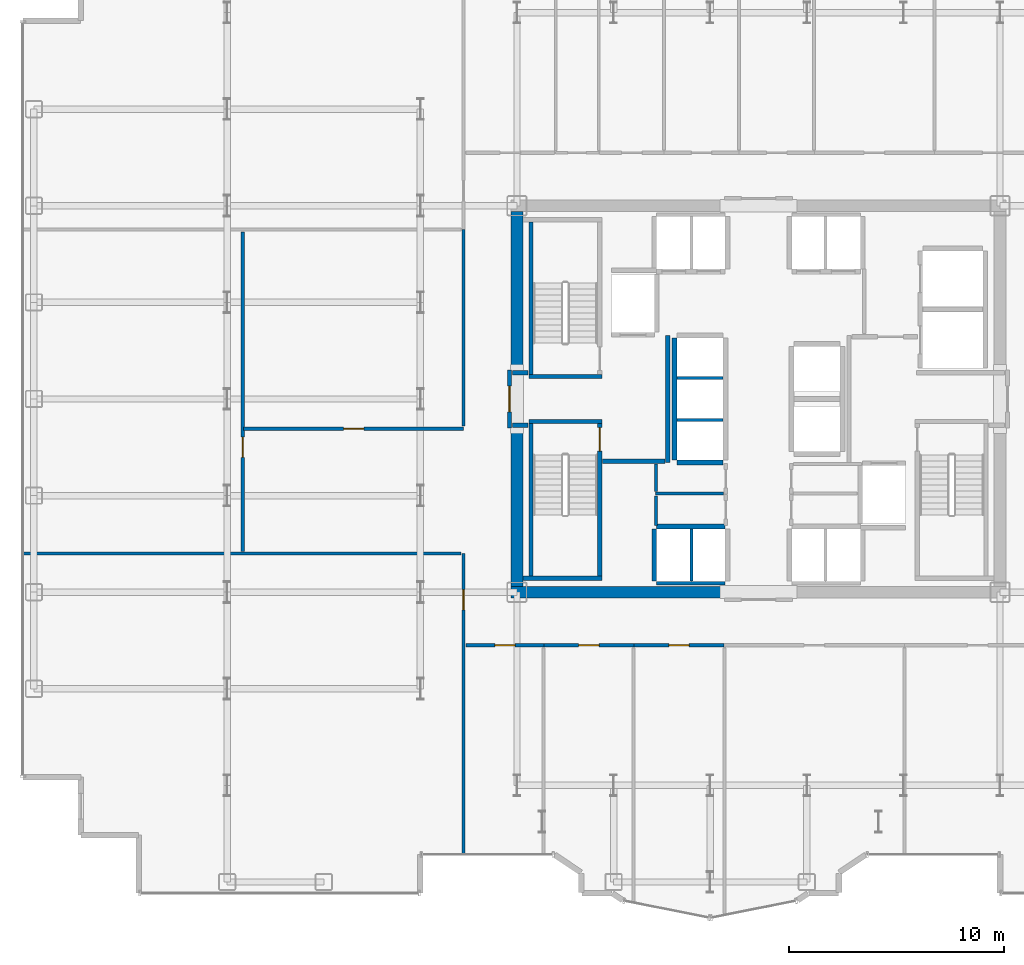
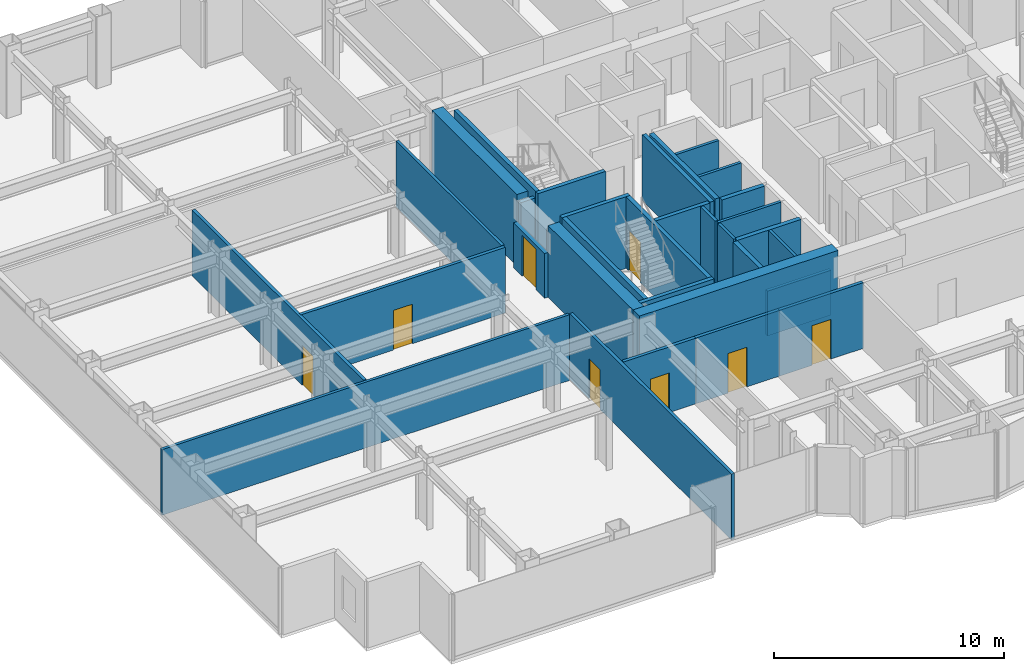
# One storey, part 20 of 26: 33 walls, 8 doors, 8 openings.
"""IFC4 building model written with IfcOpenShell, lengths in metres."""

from ifc_helpers import new_model, si_unit, direction, frame, frame_2d, origin, place, context, subcontext, project, spatial, rectangle, extrude, source, transform, mapped, material, layer, layer_set, type_object, element, fill, save


model = new_model("IFC4")

# Units and contexts
model_context = context("Model", 3, precision=1e-05, world=origin(), true_north=direction((0.0, 1.0)))
body_context = subcontext(model_context, "Body", "Model", "MODEL_VIEW")
ifc_project = project(units=[si_unit("LENGTHUNIT", "METRE"), si_unit("AREAUNIT", "SQUARE_METRE"), si_unit("VOLUMEUNIT", "CUBIC_METRE"), si_unit("PLANEANGLEUNIT", "RADIAN"), si_unit("MASSUNIT", "GRAM", prefix="KILO")], contexts=[model_context])

# Site, building, storey
site_placement = place(None, origin())
site = spatial("IfcSite", under=ifc_project, at=site_placement, CompositionType="ELEMENT")
building_placement = place(site_placement, origin())
building = spatial("IfcBuilding", under=site, at=building_placement, Name="Nefas-Gora Pilgrimage Tower", CompositionType="ELEMENT")
storey_placement = place(building_placement, frame((0.0, 0.0, 140.199951171875)))
storey = spatial("IfcBuildingStorey", under=building, at=storey_placement, Name="L34", CompositionType="ELEMENT", Elevation=140.199951171875)

# Walls
ifc_material_1 = material(Name="Concrete C60/75", Category="concrete")
ifc_layer_1 = layer(ifc_material_1, 0.550048828125)
ifc_layer_set_1 = layer_set([ifc_layer_1], Name="Concrete C60/75")
wall_type_1 = type_object("IfcWallType", Name="SW-CORE-550", PredefinedType="SHEAR", material=ifc_layer_set_1)
shared_shape_1 = source(origin(), body_context, "Body", "SweptSolid", [
    extrude(rectangle(XDim=9.974853515625, YDim=0.550048828125, at=frame_2d((4.9873046875, 0.0))), origin(), (0.0, 0.0, 1.0), 3.800048828125),
])
wall_1_placement = place(storey_placement, frame((-11.52490234375, -9.0, 0.0), z_axis=(0.0, 0.0, 1.0), x_axis=(1.0, 0.0, 0.0)))
element("IfcWall", 1, at=wall_1_placement, inside=storey, type_object=wall_type_1, Name="L34 Core Shear Wall S-West", PredefinedType="SHEAR", context=body_context, shape_type="MappedRepresentation", body=[
    mapped(shared_shape_1, transform((0.0, 0.0, 0.0), x_axis=(1.0, 0.0, 0.0), y_axis=(0.0, 1.0, 0.0), z_axis=(0.0, 0.0, 1.0), scale=1.0)),
])
shared_shape_2 = source(origin(), body_context, "Body", "SweptSolid", [
    extrude(rectangle(XDim=7.375, YDim=0.550048828125, at=frame_2d((3.6875, 0.0))), origin(), (0.0, 0.0, 1.0), 3.800048828125),
])
for number, where, z_axis, x_axis, name in (
    (2, (-11.25, -8.72509765625, 0.0), (0.0, 0.0, 1.0), (0.0, 1.0, 0.0), "L34 Core Shear Wall W-South"),
    (3, (-11.25, 1.35009765625, 0.0), (0.0, 0.0, 1.0), (0.0, 1.0, 0.0), "L34 Core Shear Wall W-North"),
):
    element("IfcWall", number, at=place(storey_placement, frame(where, z_axis=z_axis, x_axis=x_axis)), inside=storey, type_object=wall_type_1, Name=name, PredefinedType="SHEAR", context=body_context, shape_type="MappedRepresentation", body=[
        mapped(shared_shape_2, transform((0.0, 0.0, 0.0), x_axis=(1.0, 0.0, 0.0), y_axis=(0.0, 1.0, 0.0), z_axis=(0.0, 0.0, 1.0), scale=1.0)),
    ])
ifc_material_2 = material(Name="Concrete C45/55", Category="concrete")
ifc_layer_2 = layer(ifc_material_2, 0.199951171875)
ifc_layer_set_2 = layer_set([ifc_layer_2], Name="Concrete C45/55")
wall_type_2 = type_object("IfcWallType", Name="IW-STAIR-200", PredefinedType="SOLIDWALL", material=ifc_layer_set_2)
shared_shape_3 = source(origin(), body_context, "Body", "SweptSolid", [
    extrude(rectangle(XDim=3.39990234375, YDim=0.199951171875, at=frame_2d((1.699951171875, 0.0))), origin(), (0.0, 0.0, 1.0), 3.800048828125),
])
for number, where, z_axis, x_axis, name in (
    (4, (-7.300048828125, 1.050048828125, 0.0), (0.0, 0.0, 1.0), (-1.0, 0.0, 0.0), "L34 Stairwell Shear Wall ST-01-near"),
    (5, (-10.699951171875, -1.050048828125, 0.0), (0.0, 0.0, 1.0), (1.0, 0.0, 0.0), "L34 Stairwell Shear Wall ST-03-near"),
):
    element("IfcWall", number, at=place(storey_placement, frame(where, z_axis=z_axis, x_axis=x_axis)), inside=storey, type_object=wall_type_2, Name=name, PredefinedType="SOLIDWALL", context=body_context, shape_type="MappedRepresentation", body=[
        mapped(shared_shape_3, transform((0.0, 0.0, 0.0), x_axis=(1.0, 0.0, 0.0), y_axis=(0.0, 1.0, 0.0), z_axis=(0.0, 0.0, 1.0), scale=1.0)),
    ])
shared_shape_4 = source(origin(), body_context, "Body", "SweptSolid", [
    extrude(rectangle(XDim=7.10009765625, YDim=0.199951171875, at=frame_2d((3.550048828125, 0.0))), origin(), (0.0, 0.0, 1.0), 3.800048828125),
])
for number, where, z_axis, x_axis, name in (
    (6, (-10.60009765625, 1.14990234375, 0.0), (0.0, 0.0, 1.0), (0.0, 1.0, 0.0), "L34 Stairwell Shear Wall ST-01-right"),
    (7, (-10.60009765625, -1.14990234375, 0.0), (0.0, 0.0, 1.0), (0.0, -1.0, 0.0), "L34 Stairwell Shear Wall ST-03-left"),
):
    element("IfcWall", number, at=place(storey_placement, frame(where, z_axis=z_axis, x_axis=x_axis)), inside=storey, type_object=wall_type_2, Name=name, PredefinedType="SOLIDWALL", context=body_context, shape_type="MappedRepresentation", body=[
        mapped(shared_shape_4, transform((0.0, 0.0, 0.0), x_axis=(1.0, 0.0, 0.0), y_axis=(0.0, 1.0, 0.0), z_axis=(0.0, 0.0, 1.0), scale=1.0)),
    ])

# Wall, opening, door
wall_2_placement = place(storey_placement, frame((-7.39990234375, -1.14990234375, 0.0), z_axis=(0.0, 0.0, 1.0), x_axis=(0.0, -1.0, 0.0)))
wall_2 = element("IfcWall", 8, at=wall_2_placement, inside=storey, type_object=wall_type_2, Name="L34 Stairwell Shear Wall ST-03-right", PredefinedType="SOLIDWALL", context=body_context, shape_type="MappedRepresentation", body=[
    mapped(shared_shape_4, transform((0.0, 0.0, 0.0), x_axis=(1.0, 0.0, 0.0), y_axis=(0.0, 1.0, 0.0), z_axis=(0.0, 0.0, 1.0), scale=1.0)),
])
opening_1_placement = place(wall_2_placement, frame((0.179931640625, 0.0, 0.0)))
opening_1 = element("IfcOpeningElement", 9, at=opening_1_placement, cuts=wall_2, Name="Opening ID-ST1", PredefinedType="OPENING", context=body_context, shape_type="SweptSolid", body=[
    extrude(rectangle(XDim=1.10009765625, YDim=2.14990234375, at=frame_2d((0.550048828125, 1.074951171875))), frame((0.0, 0.10986328125, 0.0), z_axis=(0.0, -1.0, 0.0), x_axis=(1.0, 0.0, 0.0)), (0.0, 0.0, 1.0), 0.219970703125),
])
ifc_material_3 = material(Name="Painted galvanised steel fire stair door", Category="steel")
door_type_1 = type_object("IfcDoorType", Name="DR-INT-STAIR-1100", OperationType="NOTDEFINED", PredefinedType="DOOR", material=ifc_material_3)
shared_shape_5 = source(origin(), body_context, "Body", "SweptSolid", [
    extrude(rectangle(XDim=1.10009765625, YDim=2.14990234375, at=frame_2d((0.550048828125, 1.074951171875))), frame((0.0, 0.02490234375, 0.0), z_axis=(0.0, -1.0, 0.0), x_axis=(1.0, 0.0, 0.0)), (0.0, 0.0, 1.0), 0.050048828125),
])
door_1_placement = place(opening_1_placement, origin())
door_1 = element("IfcDoor", 10, at=door_1_placement, inside=storey, type_object=door_type_1, Name="L34 Protected Exit Stair Door ST-03", OperationType="SINGLE_SWING_RIGHT", OverallHeight=2.14990234375, OverallWidth=1.10009765625, PredefinedType="DOOR", context=body_context, shape_type="MappedRepresentation", body=[
    mapped(shared_shape_5, transform((0.0, 0.0, 0.0), x_axis=(1.0, 0.0, 0.0), y_axis=(0.0, 1.0, 0.0), z_axis=(0.0, 0.0, 1.0), scale=1.0)),
])
fill(opening_1, door_1)

# Walls
shared_shape_6 = source(origin(), body_context, "Body", "SweptSolid", [
    extrude(rectangle(XDim=3.679931640625, YDim=0.199951171875, at=frame_2d((1.83984375, 0.0))), origin(), (0.0, 0.0, 1.0), 3.800048828125),
])
wall_3_placement = place(storey_placement, frame((-10.97998046875, -8.35009765625, 0.0), z_axis=(0.0, 0.0, 1.0), x_axis=(1.0, 0.0, 0.0)))
element("IfcWall", 11, at=wall_3_placement, inside=storey, type_object=wall_type_2, Name="L34 Stairwell Shear Wall ST-03-far", PredefinedType="SOLIDWALL", context=body_context, shape_type="MappedRepresentation", body=[
    mapped(shared_shape_6, transform((0.0, 0.0, 0.0), x_axis=(1.0, 0.0, 0.0), y_axis=(0.0, 1.0, 0.0), z_axis=(0.0, 0.0, 1.0), scale=1.0)),
])
ifc_material_4 = material(Name="Concrete C40/50", Category="concrete")
ifc_layer_3 = layer(ifc_material_4, 0.219970703125)
ifc_layer_set_3 = layer_set([ifc_layer_3], Name="Concrete C40/50")
wall_type_3 = type_object("IfcWallType", Name="IW-SHAFT-220", PredefinedType="SOLIDWALL", material=ifc_layer_set_3)
shared_shape_7 = source(origin(), body_context, "Body", "SweptSolid", [
    extrude(rectangle(XDim=3.199951171875, YDim=0.219970703125, at=frame_2d((1.60009765625, 0.0))), origin(), (0.0, 0.0, 1.0), 3.485107421875),
])
wall_4_placement = place(storey_placement, frame((-1.550048828125, -5.93994140625, 0.0), z_axis=(0.0, 0.0, 1.0), x_axis=(-1.0, 0.0, 0.0)))
element("IfcWall", 12, at=wall_4_placement, inside=storey, type_object=wall_type_3, Name="L34 Hoistway Wall PL2-W-N", PredefinedType="SOLIDWALL", context=body_context, shape_type="MappedRepresentation", body=[
    mapped(shared_shape_7, transform((0.0, 0.0, 0.0), x_axis=(1.0, 0.0, 0.0), y_axis=(0.0, 1.0, 0.0), z_axis=(0.0, 0.0, 1.0), scale=1.0)),
])
ifc_material_5 = material(Name="Gypsum acoustic stud partition")
ifc_layer_4 = layer(ifc_material_5, 0.159912109375)
ifc_layer_set_4 = layer_set([ifc_layer_4], Name="Gypsum acoustic stud partition")
wall_type_4 = type_object("IfcWallType", Name="IW-CORR-160", PredefinedType="PARTITIONING", material=ifc_layer_set_4)
shared_shape_8 = source(origin(), body_context, "Body", "SweptSolid", [
    extrude(rectangle(XDim=3.199951171875, YDim=0.159912109375, at=frame_2d((1.60009765625, 0.0))), origin(), (0.0, 0.0, 1.0), 2.375),
])
wall_5_placement = place(storey_placement, frame((-4.75, -8.580078125, 0.0), z_axis=(0.0, 0.0, 1.0), x_axis=(1.0, 0.0, 0.0)))
element("IfcWall", 13, at=wall_5_placement, inside=storey, type_object=wall_type_4, Name="L34 Hoistway Wall PL2-W-S", PredefinedType="PARTITIONING", context=body_context, shape_type="MappedRepresentation", body=[
    mapped(shared_shape_8, transform((0.0, 0.0, 0.0), x_axis=(1.0, 0.0, 0.0), y_axis=(0.0, 1.0, 0.0), z_axis=(0.0, 0.0, 1.0), scale=1.0)),
])
shared_shape_9 = source(origin(), body_context, "Body", "SweptSolid", [
    extrude(rectangle(XDim=2.429931640625, YDim=0.219970703125, at=frame_2d((1.21484375, 0.0))), origin(), (0.0, 0.0, 1.0), 3.485107421875),
])
wall_6_placement = place(storey_placement, frame((-4.860107421875, -6.06005859375, 0.0), z_axis=(0.0, 0.0, 1.0), x_axis=(0.0, -1.0, 0.0)))
element("IfcWall", 14, at=wall_6_placement, inside=storey, type_object=wall_type_3, Name="L34 Hoistway Wall PL2-W-W", PredefinedType="SOLIDWALL", context=body_context, shape_type="MappedRepresentation", body=[
    mapped(shared_shape_9, transform((0.0, 0.0, 0.0), x_axis=(1.0, 0.0, 0.0), y_axis=(0.0, 1.0, 0.0), z_axis=(0.0, 0.0, 1.0), scale=1.0)),
])
ifc_material_6 = material(Name="Gypsum twin-stud partition")
ifc_layer_5 = layer(ifc_material_6, 0.139892578125)
ifc_layer_set_5 = layer_set([ifc_layer_5], Name="Gypsum twin-stud partition")
wall_type_5 = type_object("IfcWallType", Name="IW-UNIT-140", PredefinedType="PARTITIONING", material=ifc_layer_set_5)
shared_shape_10 = source(origin(), body_context, "Body", "SweptSolid", [
    extrude(rectangle(XDim=2.429931640625, YDim=0.139892578125, at=frame_2d((1.21484375, 0.0))), origin(), (0.0, 0.0, 1.0), 3.485107421875),
])
wall_7_placement = place(storey_placement, frame((-3.125, -8.489990234375, 0.0), z_axis=(0.0, 0.0, 1.0), x_axis=(0.0, 1.0, 0.0)))
element("IfcWall", 15, at=wall_7_placement, inside=storey, type_object=wall_type_5, Name="L34 Hoistway Wall PL2-W-DIV", PredefinedType="PARTITIONING", context=body_context, shape_type="MappedRepresentation", body=[
    mapped(shared_shape_10, transform((0.0, 0.0, 0.0), x_axis=(1.0, 0.0, 0.0), y_axis=(0.0, 1.0, 0.0), z_axis=(0.0, 0.0, 1.0), scale=1.0)),
])
shared_shape_11 = source(origin(), body_context, "Body", "SweptSolid", [
    extrude(rectangle(XDim=5.7001953125, YDim=0.219970703125, at=frame_2d((2.85009765625, 0.0))), origin(), (0.0, 0.0, 1.0), 3.485107421875),
])
wall_8_placement = place(storey_placement, frame((-3.909912109375, 2.85009765625, 0.0), z_axis=(0.0, 0.0, 1.0), x_axis=(0.0, -1.0, 0.0)))
element("IfcWall", 16, at=wall_8_placement, inside=storey, type_object=wall_type_3, Name="L34 Hoistway Wall PL3-01-03-W", PredefinedType="SOLIDWALL", context=body_context, shape_type="MappedRepresentation", body=[
    mapped(shared_shape_11, transform((0.0, 0.0, 0.0), x_axis=(1.0, 0.0, 0.0), y_axis=(0.0, 1.0, 0.0), z_axis=(0.0, 0.0, 1.0), scale=1.0)),
])
shared_shape_12 = source(origin(), body_context, "Body", "SweptSolid", [
    extrude(rectangle(XDim=2.130126953125, YDim=0.219970703125, at=frame_2d((1.06494140625, 0.0))), origin(), (0.0, 0.0, 1.0), 3.485107421875),
])
wall_9_placement = place(storey_placement, frame((-3.7900390625, -2.9599609375, 0.0), z_axis=(0.0, 0.0, 1.0), x_axis=(1.0, 0.0, 0.0)))
element("IfcWall", 17, at=wall_9_placement, inside=storey, type_object=wall_type_3, Name="L34 Hoistway Wall PL3-01-S", PredefinedType="SOLIDWALL", context=body_context, shape_type="MappedRepresentation", body=[
    mapped(shared_shape_12, transform((0.0, 0.0, 0.0), x_axis=(1.0, 0.0, 0.0), y_axis=(0.0, 1.0, 0.0), z_axis=(0.0, 0.0, 1.0), scale=1.0)),
])
shared_shape_13 = source(origin(), body_context, "Body", "SweptSolid", [
    extrude(rectangle(XDim=2.130126953125, YDim=0.139892578125, at=frame_2d((1.06494140625, 0.0))), origin(), (0.0, 0.0, 1.0), 3.485107421875),
])
for number, where, z_axis, x_axis, name in (
    (18, (-3.7900390625, -0.97509765625, 0.0), (0.0, 0.0, 1.0), (1.0, 0.0, 0.0), "L34 Hoistway Wall PL3-01-02-DIV"),
    (19, (-3.7900390625, 0.97509765625, 0.0), (0.0, 0.0, 1.0), (1.0, 0.0, 0.0), "L34 Hoistway Wall PL3-02-03-DIV"),
):
    element("IfcWall", number, at=place(storey_placement, frame(where, z_axis=z_axis, x_axis=x_axis)), inside=storey, type_object=wall_type_5, Name=name, PredefinedType="PARTITIONING", context=body_context, shape_type="MappedRepresentation", body=[
        mapped(shared_shape_13, transform((0.0, 0.0, 0.0), x_axis=(1.0, 0.0, 0.0), y_axis=(0.0, 1.0, 0.0), z_axis=(0.0, 0.0, 1.0), scale=1.0)),
    ])

# Wall, opening, door
ifc_material_7 = material(Name="Gypsum fire-rated shaftwall")
ifc_layer_6 = layer(ifc_material_7, 0.199951171875)
ifc_layer_set_6 = layer_set([ifc_layer_6], Name="Gypsum fire-rated shaftwall")
wall_type_6 = type_object("IfcWallType", Name="IW-FFLOB-200", PredefinedType="PARTITIONING", material=ifc_layer_set_6)
shared_shape_14 = source(origin(), body_context, "Body", "SweptSolid", [
    extrude(rectangle(XDim=2.7001953125, YDim=0.199951171875, at=frame_2d((1.35009765625, 0.0))), origin(), (0.0, 0.0, 1.0), 2.375),
])
wall_10_placement = place(storey_placement, frame((-11.60009765625, -1.35009765625, 0.0), z_axis=(0.0, 0.0, 1.0), x_axis=(0.0, 1.0, 0.0)))
wall_10 = element("IfcWall", 20, at=wall_10_placement, inside=storey, type_object=wall_type_6, Name="L34 FF Lobby West Portal Wall 3", PredefinedType="PARTITIONING", context=body_context, shape_type="MappedRepresentation", body=[
    mapped(shared_shape_14, transform((0.0, 0.0, 0.0), x_axis=(1.0, 0.0, 0.0), y_axis=(0.0, 1.0, 0.0), z_axis=(0.0, 0.0, 1.0), scale=1.0)),
])
opening_2_placement = place(wall_10_placement, frame((0.75, 0.0, 0.0)))
opening_2 = element("IfcOpeningElement", 21, at=opening_2_placement, cuts=wall_10, Name="Opening ID-FF1", PredefinedType="OPENING", context=body_context, shape_type="SweptSolid", body=[
    extrude(rectangle(XDim=1.199951171875, YDim=2.14990234375, at=frame_2d((0.60009765625, 1.074951171875))), frame((0.0, 0.10986328125, 0.0), z_axis=(0.0, -1.0, 0.0), x_axis=(1.0, 0.0, 0.0)), (0.0, 0.0, 1.0), 0.219970703125),
])
ifc_material_8 = material(Name="Smoke-sealed steel firefighting lobby door", Category="steel")
door_type_2 = type_object("IfcDoorType", Name="DR-INT-FFLOB-1200", OperationType="NOTDEFINED", PredefinedType="DOOR", material=ifc_material_8)
shared_shape_15 = source(origin(), body_context, "Body", "SweptSolid", [
    extrude(rectangle(XDim=1.199951171875, YDim=2.14990234375, at=frame_2d((0.60009765625, 1.074951171875))), frame((0.0, 0.02490234375, 0.0), z_axis=(0.0, -1.0, 0.0), x_axis=(1.0, 0.0, 0.0)), (0.0, 0.0, 1.0), 0.050048828125),
])
door_2_placement = place(opening_2_placement, origin())
door_2 = element("IfcDoor", 22, at=door_2_placement, inside=storey, type_object=door_type_2, Name="L34 FF Lobby West Portal Door 1", OperationType="SINGLE_SWING_LEFT", OverallHeight=2.14990234375, OverallWidth=1.199951171875, PredefinedType="DOOR", context=body_context, shape_type="MappedRepresentation", body=[
    mapped(shared_shape_15, transform((0.0, 0.0, 0.0), x_axis=(1.0, 0.0, 0.0), y_axis=(0.0, 1.0, 0.0), z_axis=(0.0, 0.0, 1.0), scale=1.0)),
])
fill(opening_2, door_2)

# Walls
shared_shape_16 = source(origin(), body_context, "Body", "SweptSolid", [
    extrude(rectangle(XDim=5.89990234375, YDim=0.199951171875, at=frame_2d((2.949951171875, 0.0))), origin(), (0.0, 0.0, 1.0), 3.485107421875),
])
wall_11_placement = place(storey_placement, frame((-4.219970703125, -2.949951171875, 0.0), z_axis=(0.0, 0.0, 1.0), x_axis=(0.0, 1.0, 0.0)))
element("IfcWall", 23, at=wall_11_placement, inside=storey, type_object=wall_type_6, Name="L34 FF Lobby West Inner Wall Wall 4", PredefinedType="PARTITIONING", context=body_context, shape_type="MappedRepresentation", body=[
    mapped(shared_shape_16, transform((0.0, 0.0, 0.0), x_axis=(1.0, 0.0, 0.0), y_axis=(0.0, 1.0, 0.0), z_axis=(0.0, 0.0, 1.0), scale=1.0)),
])
shared_shape_17 = source(origin(), body_context, "Body", "SweptSolid", [
    extrude(rectangle(XDim=2.89990234375, YDim=0.199951171875, at=frame_2d((1.449951171875, 0.0))), origin(), (0.0, 0.0, 1.0), 3.485107421875),
])
wall_12_placement = place(storey_placement, frame((-7.260009765625, -2.89990234375, 0.0), z_axis=(0.0, 0.0, 1.0), x_axis=(1.0, 0.0, 0.0)))
element("IfcWall", 24, at=wall_12_placement, inside=storey, type_object=wall_type_6, Name="L34 FF Lobby West South Wall Wall 5", PredefinedType="PARTITIONING", context=body_context, shape_type="MappedRepresentation", body=[
    mapped(shared_shape_17, transform((0.0, 0.0, 0.0), x_axis=(1.0, 0.0, 0.0), y_axis=(0.0, 1.0, 0.0), z_axis=(0.0, 0.0, 1.0), scale=1.0)),
])
shared_shape_18 = source(origin(), body_context, "Body", "SweptSolid", [
    extrude(rectangle(XDim=0.719970703125, YDim=0.199951171875, at=frame_2d((0.35986328125, 0.0))), origin(), (0.0, 0.0, 1.0), 3.485107421875),
])
for number, where, z_axis, x_axis, name in (
    (25, (-11.4599609375, 1.219970703125, 0.0), (0.0, 0.0, 1.0), (1.0, 0.0, 0.0), "L34 FF Lobby West Throat N Wall 6"),
    (26, (-11.4599609375, -1.219970703125, 0.0), (0.0, 0.0, 1.0), (1.0, 0.0, 0.0), "L34 FF Lobby West Throat S Wall 7"),
):
    element("IfcWall", number, at=place(storey_placement, frame(where, z_axis=z_axis, x_axis=x_axis)), inside=storey, type_object=wall_type_6, Name=name, PredefinedType="PARTITIONING", context=body_context, shape_type="MappedRepresentation", body=[
        mapped(shared_shape_18, transform((0.0, 0.0, 0.0), x_axis=(1.0, 0.0, 0.0), y_axis=(0.0, 1.0, 0.0), z_axis=(0.0, 0.0, 1.0), scale=1.0)),
    ])
shared_shape_19 = source(origin(), body_context, "Body", "SweptSolid", [
    extrude(rectangle(XDim=20.429931640625, YDim=0.139892578125, at=frame_2d((10.21484375, 0.0))), origin(), (0.0, 0.0, 1.0), 3.485107421875),
])
wall_13_placement = place(storey_placement, frame((-34.2900390625, -7.205078125, 0.0), z_axis=(0.0, 0.0, 1.0), x_axis=(1.0, 0.0, 0.0)))
element("IfcWall", 27, at=wall_13_placement, inside=storey, type_object=wall_type_5, Name="L34 Pilgrim Devotional Prayer Gallery Partition Wall 29", PredefinedType="PARTITIONING", context=body_context, shape_type="MappedRepresentation", body=[
    mapped(shared_shape_19, transform((0.0, 0.0, 0.0), x_axis=(1.0, 0.0, 0.0), y_axis=(0.0, 1.0, 0.0), z_axis=(0.0, 0.0, 1.0), scale=1.0)),
])

# Wall, opening, door
shared_shape_20 = source(origin(), body_context, "Body", "SweptSolid", [
    extrude(rectangle(XDim=10.25, YDim=0.159912109375, at=frame_2d((5.125, 0.0))), origin(), (0.0, 0.0, 1.0), 3.485107421875),
])
wall_14_placement = place(storey_placement, frame((-23.97998046875, -1.3798828125, 0.0), z_axis=(0.0, 0.0, 1.0), x_axis=(1.0, 0.0, 0.0)))
wall_14 = element("IfcWall", 28, at=wall_14_placement, inside=storey, type_object=wall_type_4, Name="L34 Pilgrim Devotional Prayer Gallery Partition Wall 32", PredefinedType="PARTITIONING", context=body_context, shape_type="MappedRepresentation", body=[
    mapped(shared_shape_20, transform((0.0, 0.0, 0.0), x_axis=(1.0, 0.0, 0.0), y_axis=(0.0, 1.0, 0.0), z_axis=(0.0, 0.0, 1.0), scale=1.0)),
])
opening_3_placement = place(wall_14_placement, frame((4.64990234375, 0.0, 0.0)))
opening_3 = element("IfcOpeningElement", 29, at=opening_3_placement, cuts=wall_14, Name="Opening ID-GR1", PredefinedType="OPENING", context=body_context, shape_type="SweptSolid", body=[
    extrude(rectangle(XDim=0.949951171875, YDim=2.10009765625, at=frame_2d((0.47509765625, 1.050048828125))), frame((0.0, 0.08984375, 0.0), z_axis=(0.0, -1.0, 0.0), x_axis=(1.0, 0.0, 0.0)), (0.0, 0.0, 1.0), 0.179931640625),
])
ifc_material_9 = material(Name="Solid core oak fire-rated guest entrance door")
door_type_3 = type_object("IfcDoorType", Name="DR-INT-GUEST-950", OperationType="NOTDEFINED", PredefinedType="DOOR", material=ifc_material_9)
shared_shape_21 = source(origin(), body_context, "Body", "SweptSolid", [
    extrude(rectangle(XDim=0.949951171875, YDim=2.10009765625, at=frame_2d((0.47509765625, 1.050048828125))), frame((0.0, 0.02490234375, 0.0), z_axis=(0.0, -1.0, 0.0), x_axis=(1.0, 0.0, 0.0)), (0.0, 0.0, 1.0), 0.050048828125),
])
door_3_placement = place(opening_3_placement, origin())
door_3 = element("IfcDoor", 30, at=door_3_placement, inside=storey, type_object=door_type_3, Name="L34 Pilgrim Devotional Prayer Gallery Door 13", OperationType="SINGLE_SWING_LEFT", OverallHeight=2.10009765625, OverallWidth=0.949951171875, PredefinedType="DOOR", context=body_context, shape_type="MappedRepresentation", body=[
    mapped(shared_shape_21, transform((0.0, 0.0, 0.0), x_axis=(1.0, 0.0, 0.0), y_axis=(0.0, 1.0, 0.0), z_axis=(0.0, 0.0, 1.0), scale=1.0)),
])
fill(opening_3, door_3)

shared_shape_22 = source(origin(), body_context, "Body", "SweptSolid", [
    extrude(rectangle(XDim=3.625, YDim=0.159912109375, at=frame_2d((1.8125, 0.0))), origin(), (0.0, 0.0, 1.0), 3.485107421875),
])
wall_15_placement = place(storey_placement, frame((-13.6201171875, -11.469970703125, 0.0), z_axis=(0.0, 0.0, 1.0), x_axis=(1.0, 0.0, 0.0)))
wall_15 = element("IfcWall", 31, at=wall_15_placement, inside=storey, type_object=wall_type_4, Name="L34 Pilgrim Contemplative Lounge Partition Wall 59", PredefinedType="PARTITIONING", context=body_context, shape_type="MappedRepresentation", body=[
    mapped(shared_shape_22, transform((0.0, 0.0, 0.0), x_axis=(1.0, 0.0, 0.0), y_axis=(0.0, 1.0, 0.0), z_axis=(0.0, 0.0, 1.0), scale=1.0)),
])
opening_4_placement = place(wall_15_placement, frame((1.33740234375, 0.0, 0.0)))
opening_4 = element("IfcOpeningElement", 32, at=opening_4_placement, cuts=wall_15, Name="Opening ID-GR1", PredefinedType="OPENING", context=body_context, shape_type="SweptSolid", body=[
    extrude(rectangle(XDim=0.949951171875, YDim=2.10009765625, at=frame_2d((0.47509765625, 1.050048828125))), frame((0.0, 0.08984375, 0.0), z_axis=(0.0, -1.0, 0.0), x_axis=(1.0, 0.0, 0.0)), (0.0, 0.0, 1.0), 0.179931640625),
])
door_4_placement = place(opening_4_placement, origin())
door_4 = element("IfcDoor", 33, at=door_4_placement, inside=storey, type_object=door_type_3, Name="L34 Pilgrim Contemplative Lounge Door 28", OperationType="SINGLE_SWING_RIGHT", OverallHeight=2.10009765625, OverallWidth=0.949951171875, PredefinedType="DOOR", context=body_context, shape_type="MappedRepresentation", body=[
    mapped(shared_shape_21, transform((0.0, 0.0, 0.0), x_axis=(1.0, 0.0, 0.0), y_axis=(0.0, 1.0, 0.0), z_axis=(0.0, 0.0, 1.0), scale=1.0)),
])
fill(opening_4, door_4)

# Walls
shared_shape_23 = source(origin(), body_context, "Body", "SweptSolid", [
    extrude(rectangle(XDim=3.150146484375, YDim=0.139892578125, at=frame_2d((1.5751953125, 0.0))), origin(), (0.0, 0.0, 1.0), 3.485107421875),
])
wall_16_placement = place(storey_placement, frame((-4.7900390625, -4.409912109375, 0.0), z_axis=(0.0, 0.0, 1.0), x_axis=(1.0, 0.0, 0.0)))
element("IfcWall", 34, at=wall_16_placement, inside=storey, type_object=wall_type_5, Name="L34 Housekeeping and Linen Store Partition Wall 17", PredefinedType="PARTITIONING", context=body_context, shape_type="MappedRepresentation", body=[
    mapped(shared_shape_23, transform((0.0, 0.0, 0.0), x_axis=(1.0, 0.0, 0.0), y_axis=(0.0, 1.0, 0.0), z_axis=(0.0, 0.0, 1.0), scale=1.0)),
])
shared_shape_24 = source(origin(), body_context, "Body", "SweptSolid", [
    extrude(rectangle(XDim=1.260009765625, YDim=0.139892578125, at=frame_2d((0.6298828125, 0.0))), origin(), (0.0, 0.0, 1.0), 3.485107421875),
])
wall_17_placement = place(storey_placement, frame((-4.780029296875, -4.300048828125, 0.0), z_axis=(0.0, 0.0, 1.0), x_axis=(0.0, 1.0, 0.0)))
element("IfcWall", 35, at=wall_17_placement, inside=storey, type_object=wall_type_5, Name="L34 Housekeeping and Linen Store Partition Wall 18", PredefinedType="PARTITIONING", context=body_context, shape_type="MappedRepresentation", body=[
    mapped(shared_shape_24, transform((0.0, 0.0, 0.0), x_axis=(1.0, 0.0, 0.0), y_axis=(0.0, 1.0, 0.0), z_axis=(0.0, 0.0, 1.0), scale=1.0)),
])
shared_shape_25 = source(origin(), body_context, "Body", "SweptSolid", [
    extrude(rectangle(XDim=1.369873046875, YDim=0.139892578125, at=frame_2d((0.68505859375, 0.0))), origin(), (0.0, 0.0, 1.0), 3.485107421875),
])
wall_18_placement = place(storey_placement, frame((-4.780029296875, -5.889892578125, 0.0), z_axis=(0.0, 0.0, 1.0), x_axis=(0.0, 1.0, 0.0)))
element("IfcWall", 36, at=wall_18_placement, inside=storey, type_object=wall_type_5, Name="L34 Guest Self-Service Laundry Room Partition Wall 20", PredefinedType="PARTITIONING", context=body_context, shape_type="MappedRepresentation", body=[
    mapped(shared_shape_25, transform((0.0, 0.0, 0.0), x_axis=(1.0, 0.0, 0.0), y_axis=(0.0, 1.0, 0.0), z_axis=(0.0, 0.0, 1.0), scale=1.0)),
])

# Wall, opening, door
shared_shape_26 = source(origin(), body_context, "Body", "SweptSolid", [
    extrude(rectangle(XDim=14.044921875, YDim=0.159912109375, at=frame_2d((7.0224609375, 0.0))), origin(), (0.0, 0.0, 1.0), 3.485107421875),
])
wall_19_placement = place(storey_placement, frame((-13.739990234375, -21.239990234375, 0.0), z_axis=(0.0, 0.0, 1.0), x_axis=(0.0, 1.0, 0.0)))
wall_19 = element("IfcWall", 37, at=wall_19_placement, inside=storey, type_object=wall_type_4, Name="L34 Pilgrim Devotional Prayer Gallery Partition Wall 28", PredefinedType="PARTITIONING", context=body_context, shape_type="MappedRepresentation", body=[
    mapped(shared_shape_26, transform((0.0, 0.0, 0.0), x_axis=(1.0, 0.0, 0.0), y_axis=(0.0, 1.0, 0.0), z_axis=(0.0, 0.0, 1.0), scale=1.0)),
])
opening_5_placement = place(wall_19_placement, frame((11.41259765625, 0.0, 0.0)))
opening_5 = element("IfcOpeningElement", 38, at=opening_5_placement, cuts=wall_19, Name="Opening ID-GR1", PredefinedType="OPENING", context=body_context, shape_type="SweptSolid", body=[
    extrude(rectangle(XDim=0.949951171875, YDim=2.10009765625, at=frame_2d((0.47509765625, 1.050048828125))), frame((0.0, 0.08984375, 0.0), z_axis=(0.0, -1.0, 0.0), x_axis=(1.0, 0.0, 0.0)), (0.0, 0.0, 1.0), 0.179931640625),
])
door_5_placement = place(opening_5_placement, origin())
door_5 = element("IfcDoor", 39, at=door_5_placement, inside=storey, type_object=door_type_3, Name="L34 Pilgrim Devotional Prayer Gallery Door 11", OperationType="SINGLE_SWING_LEFT", OverallHeight=2.10009765625, OverallWidth=0.949951171875, PredefinedType="DOOR", context=body_context, shape_type="MappedRepresentation", body=[
    mapped(shared_shape_21, transform((0.0, 0.0, 0.0), x_axis=(1.0, 0.0, 0.0), y_axis=(0.0, 1.0, 0.0), z_axis=(0.0, 0.0, 1.0), scale=1.0)),
])
fill(opening_5, door_5)

# Wall
shared_shape_27 = source(origin(), body_context, "Body", "SweptSolid", [
    extrude(rectangle(XDim=9.1474609375, YDim=0.139892578125, at=frame_2d((4.57373046875, 0.0))), origin(), (0.0, 0.0, 1.0), 3.485107421875),
])
wall_20_placement = place(storey_placement, frame((-13.739990234375, -1.260009765625, 0.0), z_axis=(0.0, 0.0, 1.0), x_axis=(0.0, 1.0, 0.0)))
element("IfcWall", 40, at=wall_20_placement, inside=storey, type_object=wall_type_5, Name="L34 Pilgrim Devotional Prayer Gallery Partition Wall 33", PredefinedType="PARTITIONING", context=body_context, shape_type="MappedRepresentation", body=[
    mapped(shared_shape_27, transform((0.0, 0.0, 0.0), x_axis=(1.0, 0.0, 0.0), y_axis=(0.0, 1.0, 0.0), z_axis=(0.0, 0.0, 1.0), scale=1.0)),
])

# Wall, opening, door
shared_shape_28 = source(origin(), body_context, "Body", "SweptSolid", [
    extrude(rectangle(XDim=14.882568359375, YDim=0.159912109375, at=frame_2d((7.44140625, 0.0))), origin(), (0.0, 0.0, 1.0), 3.485107421875),
])
wall_21_placement = place(storey_placement, frame((-24.02001953125, -7.094970703125, 0.0), z_axis=(0.0, 0.0, 1.0), x_axis=(0.0, 1.0, 0.0)))
wall_21 = element("IfcWall", 41, at=wall_21_placement, inside=storey, type_object=wall_type_4, Name="L34 Pilgrim Tea and Beverage Pantry Partition Wall 34", PredefinedType="PARTITIONING", context=body_context, shape_type="MappedRepresentation", body=[
    mapped(shared_shape_28, transform((0.0, 0.0, 0.0), x_axis=(1.0, 0.0, 0.0), y_axis=(0.0, 1.0, 0.0), z_axis=(0.0, 0.0, 1.0), scale=1.0)),
])
opening_6_placement = place(wall_21_placement, frame((4.3701171875, 0.0, 0.0)))
opening_6 = element("IfcOpeningElement", 42, at=opening_6_placement, cuts=wall_21, Name="Opening ID-GR1", PredefinedType="OPENING", context=body_context, shape_type="SweptSolid", body=[
    extrude(rectangle(XDim=0.949951171875, YDim=2.10009765625, at=frame_2d((0.47509765625, 1.050048828125))), frame((0.0, 0.08984375, 0.0), z_axis=(0.0, -1.0, 0.0), x_axis=(1.0, 0.0, 0.0)), (0.0, 0.0, 1.0), 0.179931640625),
])
door_6_placement = place(opening_6_placement, origin())
door_6 = element("IfcDoor", 43, at=door_6_placement, inside=storey, type_object=door_type_3, Name="L34 Pilgrim Tea and Beverage Pantry Door 14", OperationType="SINGLE_SWING_RIGHT", OverallHeight=2.10009765625, OverallWidth=0.949951171875, PredefinedType="DOOR", context=body_context, shape_type="MappedRepresentation", body=[
    mapped(shared_shape_21, transform((0.0, 0.0, 0.0), x_axis=(1.0, 0.0, 0.0), y_axis=(0.0, 1.0, 0.0), z_axis=(0.0, 0.0, 1.0), scale=1.0)),
])
fill(opening_6, door_6)

shared_shape_29 = source(origin(), body_context, "Body", "SweptSolid", [
    extrude(rectangle(XDim=4.202392578125, YDim=0.159912109375, at=frame_2d((2.10107421875, 0.0))), origin(), (0.0, 0.0, 1.0), 3.485107421875),
])
wall_22_placement = place(storey_placement, frame((-10.0048828125, -11.469970703125, 0.0), z_axis=(0.0, 0.0, 1.0), x_axis=(1.0, 0.0, 0.0)))
wall_22 = element("IfcWall", 44, at=wall_22_placement, inside=storey, type_object=wall_type_4, Name="L34 Pilgrim Contemplative Lounge Partition Wall 64", PredefinedType="PARTITIONING", context=body_context, shape_type="MappedRepresentation", body=[
    mapped(shared_shape_29, transform((0.0, 0.0, 0.0), x_axis=(1.0, 0.0, 0.0), y_axis=(0.0, 1.0, 0.0), z_axis=(0.0, 0.0, 1.0), scale=1.0)),
])
opening_7_placement = place(wall_22_placement, frame((1.626220703125, 0.0, 0.0)))
opening_7 = element("IfcOpeningElement", 45, at=opening_7_placement, cuts=wall_22, Name="Opening ID-GR1", PredefinedType="OPENING", context=body_context, shape_type="SweptSolid", body=[
    extrude(rectangle(XDim=0.949951171875, YDim=2.10009765625, at=frame_2d((0.47509765625, 1.050048828125))), frame((0.0, 0.08984375, 0.0), z_axis=(0.0, -1.0, 0.0), x_axis=(1.0, 0.0, 0.0)), (0.0, 0.0, 1.0), 0.179931640625),
])
door_7_placement = place(opening_7_placement, origin())
door_7 = element("IfcDoor", 46, at=door_7_placement, inside=storey, type_object=door_type_3, Name="L34 Pilgrim Contemplative Lounge Door 30", OperationType="SINGLE_SWING_RIGHT", OverallHeight=2.10009765625, OverallWidth=0.949951171875, PredefinedType="DOOR", context=body_context, shape_type="MappedRepresentation", body=[
    mapped(shared_shape_21, transform((0.0, 0.0, 0.0), x_axis=(1.0, 0.0, 0.0), y_axis=(0.0, 1.0, 0.0), z_axis=(0.0, 0.0, 1.0), scale=1.0)),
])
fill(opening_7, door_7)

wall_23_placement = place(storey_placement, frame((-5.802490234375, -11.469970703125, 0.0), z_axis=(0.0, 0.0, 1.0), x_axis=(1.0, 0.0, 0.0)))
wall_23 = element("IfcWall", 47, at=wall_23_placement, inside=storey, type_object=wall_type_4, Name="L34 Pilgrim Contemplative Lounge Partition Wall 66", PredefinedType="PARTITIONING", context=body_context, shape_type="MappedRepresentation", body=[
    mapped(shared_shape_29, transform((0.0, 0.0, 0.0), x_axis=(1.0, 0.0, 0.0), y_axis=(0.0, 1.0, 0.0), z_axis=(0.0, 0.0, 1.0), scale=1.0)),
])
opening_8_placement = place(wall_23_placement, frame((1.626220703125, 0.0, 0.0)))
opening_8 = element("IfcOpeningElement", 48, at=opening_8_placement, cuts=wall_23, Name="Opening ID-GR1", PredefinedType="OPENING", context=body_context, shape_type="SweptSolid", body=[
    extrude(rectangle(XDim=0.949951171875, YDim=2.10009765625, at=frame_2d((0.47509765625, 1.050048828125))), frame((0.0, 0.08984375, 0.0), z_axis=(0.0, -1.0, 0.0), x_axis=(1.0, 0.0, 0.0)), (0.0, 0.0, 1.0), 0.179931640625),
])
door_8_placement = place(opening_8_placement, origin())
door_8 = element("IfcDoor", 49, at=door_8_placement, inside=storey, type_object=door_type_3, Name="L34 Pilgrim Contemplative Lounge Door 31", OperationType="SINGLE_SWING_LEFT", OverallHeight=2.10009765625, OverallWidth=0.949951171875, PredefinedType="DOOR", context=body_context, shape_type="MappedRepresentation", body=[
    mapped(shared_shape_21, transform((0.0, 0.0, 0.0), x_axis=(1.0, 0.0, 0.0), y_axis=(0.0, 1.0, 0.0), z_axis=(0.0, 0.0, 1.0), scale=1.0)),
])
fill(opening_8, door_8)

save(model, "model.ifc")
